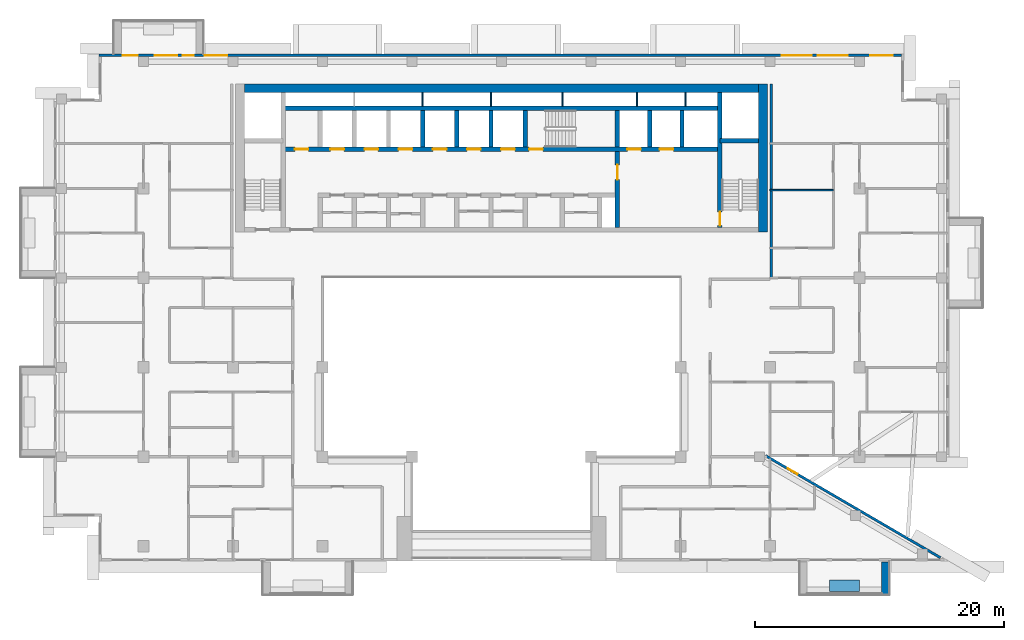
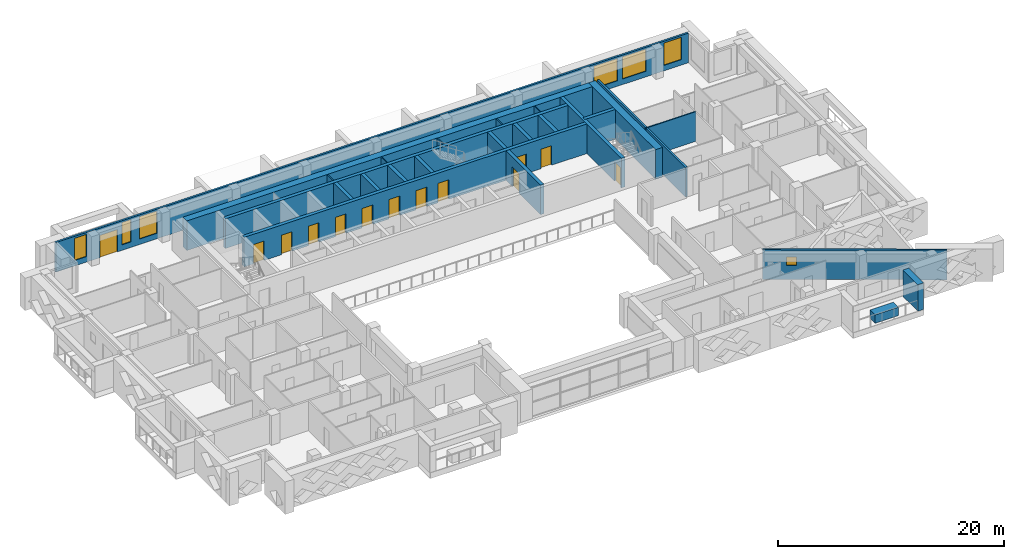
# One storey, part 11 of 20: 25 walls, 13 doors, 7 windows, 20 openings.
"""IFC4 building model written with IfcOpenShell, lengths in metres."""

from ifc_helpers import new_model, si_unit, direction, frame, frame_2d, origin, place, context, subcontext, project, spatial, rectangle, extrude, material, layer, layer_set, type_object, element, fill, save


model = new_model("IFC4")

# Units and contexts
model_context = context("Model", 3, precision=1e-05, world=origin(), true_north=direction((0.0, 1.0)))
body_context = subcontext(model_context, "Body", "Model", "MODEL_VIEW")
ifc_project = project(units=[si_unit("LENGTHUNIT", "METRE"), si_unit("AREAUNIT", "SQUARE_METRE"), si_unit("VOLUMEUNIT", "CUBIC_METRE"), si_unit("PLANEANGLEUNIT", "RADIAN"), si_unit("MASSUNIT", "GRAM", prefix="KILO")], contexts=[model_context])

# Site, building, storey
site_placement = place(None, origin())
site = spatial("IfcSite", under=ifc_project, at=site_placement, CompositionType="ELEMENT")
building_placement = place(site_placement, origin())
building = spatial("IfcBuilding", under=site, at=building_placement, Name="Saffron Iwan Residences", CompositionType="ELEMENT")
storey_placement = place(building_placement, frame((0.0, 0.0, 195.5)))
storey = spatial("IfcBuildingStorey", under=building, at=storey_placement, Name="L52", CompositionType="ELEMENT", Elevation=195.5)

# Walls
ifc_material_1 = material(Name="Concrete C50/60 white painted", Category="concrete")
ifc_layer_1 = layer(ifc_material_1, 0.60009765625)
ifc_layer_set_1 = layer_set([ifc_layer_1], Name="Concrete C50/60 white painted")
wall_type_1 = type_object("IfcWallType", Name="BALCONY FIN 600", PredefinedType="SOLIDWALL", material=ifc_layer_set_1)
wall_1_placement = place(storey_placement, frame((81.300048828125, 39.550048828125, 0.0), z_axis=(0.0, 0.0, 1.0), x_axis=(0.0, -1.0, 0.0)))
element("IfcWall", 1, at=wall_1_placement, inside=storey, type_object=wall_type_1, Name="Balcony fin L52 11-2b", PredefinedType="SOLIDWALL", context=body_context, shape_type="SweptSolid", body=[
    extrude(rectangle(XDim=2.650146484375, YDim=0.60009765625, at=frame_2d((1.3251953125, 0.0))), origin(), (0.0, 0.0, 1.0), 2.85009765625),
])
ifc_material_2 = material(Name="Concrete C35/45 white painted", Category="concrete")
ifc_layer_2 = layer(ifc_material_2, 0.14990234375)
ifc_layer_set_2 = layer_set([ifc_layer_2], Name="Concrete C35/45 white painted")
wall_type_2 = type_object("IfcWallType", Name="BALCONY PLANTER", PredefinedType="SOLIDWALL", material=ifc_layer_set_2)
wall_2_placement = place(storey_placement, frame((76.800048828125, 37.625, 0.0), z_axis=(0.0, 0.0, 1.0), x_axis=(1.0, 0.0, 0.0)))
element("IfcWall", 2, at=wall_2_placement, inside=storey, type_object=wall_type_2, Name="PLANTER L52 11-2", PredefinedType="SOLIDWALL", context=body_context, shape_type="SweptSolid", body=[
    extrude(rectangle(XDim=2.39990234375, YDim=0.89990234375, at=frame_2d((1.199951171875, 0.0))), origin(), (0.0, 0.0, 1.0), 0.89990234375),
])

# Wall, opening, window
ifc_material_3 = material(Name="Concrete C40/50", Category="concrete")
ifc_layer_3 = layer(ifc_material_3, 0.199951171875)
ifc_layer_set_3 = layer_set([ifc_layer_3], Name="Concrete C40/50")
wall_type_3 = type_object("IfcWallType", Name="EXTERNAL WALL 200", PredefinedType="SOLIDWALL", material=ifc_layer_set_3)
wall_3_placement = place(storey_placement, frame((85.71923828125, 39.88134765625, 0.0), z_axis=(0.0, 0.0, 1.0), x_axis=(-0.86377618652, 0.503875678716, 0.0)))
wall_3 = element("IfcWall", 3, at=wall_3_placement, inside=storey, type_object=wall_type_3, Name="External wall L52 F0.0", PredefinedType="SOLIDWALL", context=body_context, shape_type="SweptSolid", body=[
    extrude(rectangle(XDim=16.31103515625, YDim=0.199951171875, at=frame_2d((8.155517578125, 0.0))), origin(), (0.0, 0.0, 1.0), 3.199951171875),
])
opening_1_placement = place(wall_3_placement, frame((13.32568359375, 0.0, 1.5)))
opening_1 = element("IfcOpeningElement", 4, at=opening_1_placement, cuts=wall_3, Name="Opening W6", PredefinedType="OPENING", context=body_context, shape_type="SweptSolid", body=[
    extrude(rectangle(XDim=0.89990234375, YDim=0.89990234375, at=frame_2d((0.449951171875, 0.449951171875))), frame((0.0, 0.10986328125, 0.0), z_axis=(0.0, -1.0, 0.0), x_axis=(1.0, 0.0, 0.0)), (0.0, 0.0, 1.0), 0.219970703125),
])
ifc_material_4 = material(Name="Clear glass, laminated double glazed", Category="glass")
window_type_1 = type_object("IfcWindowType", Name="WINDOW 900 x 900 BATH", PartitioningType="SINGLE_PANEL", PredefinedType="WINDOW", material=ifc_material_4)
window_1_placement = place(opening_1_placement, origin())
window_1 = element("IfcWindow", 5, at=window_1_placement, inside=storey, type_object=window_type_1, Name="Window L52 F0.0", OverallHeight=0.89990234375, OverallWidth=0.89990234375, PartitioningType="SINGLE_PANEL", PredefinedType="WINDOW", context=body_context, shape_type="SweptSolid", body=[
    extrude(rectangle(XDim=0.89990234375, YDim=0.89990234375, at=frame_2d((0.449951171875, 0.449951171875))), frame((0.0, 0.030029296875, 0.0), z_axis=(0.0, -1.0, 0.0), x_axis=(1.0, 0.0, 0.0)), (0.0, 0.0, 1.0), 0.06005859375),
])
fill(opening_1, window_1)

# Wall, openings, door, windows
wall_4_placement = place(storey_placement, frame((82.60009765625, 80.300048828125, 0.0), z_axis=(0.0, 0.0, 1.0), x_axis=(-1.0, 0.0, 0.0)))
wall_4 = element("IfcWall", 6, at=wall_4_placement, inside=storey, type_object=wall_type_3, Name="External wall L52 F5.0", PredefinedType="SOLIDWALL", context=body_context, shape_type="SweptSolid", body=[
    extrude(rectangle(XDim=64.60009765625, YDim=0.199951171875, at=frame_2d((32.300048828125, 0.0))), origin(), (0.0, 0.0, 1.0), 3.199951171875),
])
opening_2_placement = place(wall_4_placement, frame((58.300048828125, 0.0, 0.0)))
opening_2 = element("IfcOpeningElement", 7, at=opening_2_placement, cuts=wall_4, Name="Opening BD1", PredefinedType="OPENING", context=body_context, shape_type="SweptSolid", body=[
    extrude(rectangle(XDim=1.800048828125, YDim=2.39990234375, at=frame_2d((0.89990234375, 1.199951171875))), frame((0.0, 0.10986328125, 0.0), z_axis=(0.0, -1.0, 0.0), x_axis=(1.0, 0.0, 0.0)), (0.0, 0.0, 1.0), 0.219970703125),
])
opening_3_placement = place(wall_4_placement, frame((54.27490234375, 0.0, 0.60009765625)))
opening_3 = element("IfcOpeningElement", 8, at=opening_3_placement, cuts=wall_4, Name="Opening W8", PredefinedType="OPENING", context=body_context, shape_type="SweptSolid", body=[
    extrude(rectangle(XDim=1.800048828125, YDim=2.39990234375, at=frame_2d((0.89990234375, 1.199951171875))), frame((0.0, 0.10986328125, 0.0), z_axis=(0.0, -1.0, 0.0), x_axis=(1.0, 0.0, 0.0)), (0.0, 0.0, 1.0), 0.219970703125),
])
opening_4_placement = place(wall_4_placement, frame((56.949951171875, 0.0, 0.60009765625)))
opening_4 = element("IfcOpeningElement", 9, at=opening_4_placement, cuts=wall_4, Name="Opening W10", PredefinedType="OPENING", context=body_context, shape_type="SweptSolid", body=[
    extrude(rectangle(XDim=0.89990234375, YDim=2.39990234375, at=frame_2d((0.449951171875, 1.199951171875))), frame((0.0, 0.10986328125, 0.0), z_axis=(0.0, -1.0, 0.0), x_axis=(1.0, 0.0, 0.0)), (0.0, 0.0, 1.0), 0.219970703125),
])
opening_5_placement = place(wall_4_placement, frame((61.47509765625, 0.0, 0.60009765625)))
opening_5 = element("IfcOpeningElement", 10, at=opening_5_placement, cuts=wall_4, Name="Opening W3", PredefinedType="OPENING", context=body_context, shape_type="SweptSolid", body=[
    extrude(rectangle(XDim=1.199951171875, YDim=2.39990234375, at=frame_2d((0.60009765625, 1.199951171875))), frame((0.0, 0.10986328125, 0.0), z_axis=(0.0, -1.0, 0.0), x_axis=(1.0, 0.0, 0.0)), (0.0, 0.0, 1.0), 0.219970703125),
])
opening_6_placement = place(wall_4_placement, frame((0.72509765625, 0.0, 0.60009765625)))
opening_6 = element("IfcOpeningElement", 11, at=opening_6_placement, cuts=wall_4, Name="Opening W8", PredefinedType="OPENING", context=body_context, shape_type="SweptSolid", body=[
    extrude(rectangle(XDim=1.800048828125, YDim=2.39990234375, at=frame_2d((0.89990234375, 1.199951171875))), frame((0.0, 0.10986328125, 0.0), z_axis=(0.0, -1.0, 0.0), x_axis=(1.0, 0.0, 0.0)), (0.0, 0.0, 1.0), 0.219970703125),
])
opening_7_placement = place(wall_4_placement, frame((4.35009765625, 0.0, 0.60009765625)))
opening_7 = element("IfcOpeningElement", 12, at=opening_7_placement, cuts=wall_4, Name="Opening W1", PredefinedType="OPENING", context=body_context, shape_type="SweptSolid", body=[
    extrude(rectangle(XDim=2.39990234375, YDim=2.39990234375, at=frame_2d((1.199951171875, 1.199951171875))), frame((0.0, 0.10986328125, 0.0), z_axis=(0.0, -1.0, 0.0), x_axis=(1.0, 0.0, 0.0)), (0.0, 0.0, 1.0), 0.219970703125),
])
opening_8_placement = place(wall_4_placement, frame((7.25, 0.0, 0.60009765625)))
opening_8 = element("IfcOpeningElement", 13, at=opening_8_placement, cuts=wall_4, Name="Opening W1", PredefinedType="OPENING", context=body_context, shape_type="SweptSolid", body=[
    extrude(rectangle(XDim=2.39990234375, YDim=2.39990234375, at=frame_2d((1.199951171875, 1.199951171875))), frame((0.0, 0.10986328125, 0.0), z_axis=(0.0, -1.0, 0.0), x_axis=(1.0, 0.0, 0.0)), (0.0, 0.0, 1.0), 0.219970703125),
])
door_type_1 = type_object("IfcDoorType", Name="BALCONY DOOR 1800 x 2400", OperationType="DOUBLE_DOOR_SLIDING", PredefinedType="DOOR", material=ifc_material_4)
door_1_placement = place(opening_2_placement, origin())
door_1 = element("IfcDoor", 14, at=door_1_placement, inside=storey, type_object=door_type_1, Name="Balcony door L52 F5.0", OperationType="DOUBLE_DOOR_SLIDING", OverallHeight=2.39990234375, OverallWidth=1.800048828125, PredefinedType="DOOR", context=body_context, shape_type="SweptSolid", body=[
    extrude(rectangle(XDim=1.800048828125, YDim=2.39990234375, at=frame_2d((0.89990234375, 1.199951171875))), frame((0.0, 0.02490234375, 0.0), z_axis=(0.0, -1.0, 0.0), x_axis=(1.0, 0.0, 0.0)), (0.0, 0.0, 1.0), 0.050048828125),
])
fill(opening_2, door_1)
window_type_2 = type_object("IfcWindowType", Name="WINDOW 1200 x 2400", PartitioningType="SINGLE_PANEL", PredefinedType="WINDOW", material=ifc_material_4)
window_2_placement = place(opening_5_placement, origin())
window_2 = element("IfcWindow", 15, at=window_2_placement, inside=storey, type_object=window_type_2, Name="Window L52 F5.3", OverallHeight=2.39990234375, OverallWidth=1.199951171875, PartitioningType="SINGLE_PANEL", PredefinedType="WINDOW", context=body_context, shape_type="SweptSolid", body=[
    extrude(rectangle(XDim=1.199951171875, YDim=2.39990234375, at=frame_2d((0.60009765625, 1.199951171875))), frame((0.0, 0.030029296875, 0.0), z_axis=(0.0, -1.0, 0.0), x_axis=(1.0, 0.0, 0.0)), (0.0, 0.0, 1.0), 0.06005859375),
])
fill(opening_5, window_2)
window_type_3 = type_object("IfcWindowType", Name="WINDOW 1800 x 2400", PartitioningType="DOUBLE_PANEL_VERTICAL", PredefinedType="WINDOW", material=ifc_material_4)
window_3_placement = place(opening_3_placement, origin())
window_3 = element("IfcWindow", 16, at=window_3_placement, inside=storey, type_object=window_type_3, Name="Window L52 F5.1", OverallHeight=2.39990234375, OverallWidth=1.800048828125, PartitioningType="DOUBLE_PANEL_VERTICAL", PredefinedType="WINDOW", context=body_context, shape_type="SweptSolid", body=[
    extrude(rectangle(XDim=1.800048828125, YDim=2.39990234375, at=frame_2d((0.89990234375, 1.199951171875))), frame((0.0, 0.030029296875, 0.0), z_axis=(0.0, -1.0, 0.0), x_axis=(1.0, 0.0, 0.0)), (0.0, 0.0, 1.0), 0.06005859375),
])
fill(opening_3, window_3)
window_4_placement = place(opening_6_placement, origin())
window_4 = element("IfcWindow", 17, at=window_4_placement, inside=storey, type_object=window_type_3, Name="Window L52 F5.4", OverallHeight=2.39990234375, OverallWidth=1.800048828125, PartitioningType="DOUBLE_PANEL_VERTICAL", PredefinedType="WINDOW", context=body_context, shape_type="SweptSolid", body=[
    extrude(rectangle(XDim=1.800048828125, YDim=2.39990234375, at=frame_2d((0.89990234375, 1.199951171875))), frame((0.0, 0.030029296875, 0.0), z_axis=(0.0, -1.0, 0.0), x_axis=(1.0, 0.0, 0.0)), (0.0, 0.0, 1.0), 0.06005859375),
])
fill(opening_6, window_4)
window_type_4 = type_object("IfcWindowType", Name="WINDOW 2400 x 2400", PartitioningType="DOUBLE_PANEL_VERTICAL", PredefinedType="WINDOW", material=ifc_material_4)
window_5_placement = place(opening_7_placement, origin())
window_5 = element("IfcWindow", 18, at=window_5_placement, inside=storey, type_object=window_type_4, Name="Window L52 F5.5", OverallHeight=2.39990234375, OverallWidth=2.39990234375, PartitioningType="DOUBLE_PANEL_VERTICAL", PredefinedType="WINDOW", context=body_context, shape_type="SweptSolid", body=[
    extrude(rectangle(XDim=2.39990234375, YDim=2.39990234375, at=frame_2d((1.199951171875, 1.199951171875))), frame((0.0, 0.030029296875, 0.0), z_axis=(0.0, -1.0, 0.0), x_axis=(1.0, 0.0, 0.0)), (0.0, 0.0, 1.0), 0.06005859375),
])
fill(opening_7, window_5)
window_6_placement = place(opening_8_placement, origin())
window_6 = element("IfcWindow", 19, at=window_6_placement, inside=storey, type_object=window_type_4, Name="Window L52 F5.6", OverallHeight=2.39990234375, OverallWidth=2.39990234375, PartitioningType="DOUBLE_PANEL_VERTICAL", PredefinedType="WINDOW", context=body_context, shape_type="SweptSolid", body=[
    extrude(rectangle(XDim=2.39990234375, YDim=2.39990234375, at=frame_2d((1.199951171875, 1.199951171875))), frame((0.0, 0.030029296875, 0.0), z_axis=(0.0, -1.0, 0.0), x_axis=(1.0, 0.0, 0.0)), (0.0, 0.0, 1.0), 0.06005859375),
])
fill(opening_8, window_6)
window_type_5 = type_object("IfcWindowType", Name="WINDOW 900 x 2400", PartitioningType="SINGLE_PANEL", PredefinedType="WINDOW", material=ifc_material_4)
window_7_placement = place(opening_4_placement, origin())
window_7 = element("IfcWindow", 20, at=window_7_placement, inside=storey, type_object=window_type_5, Name="Window L52 F5.2", OverallHeight=2.39990234375, OverallWidth=0.89990234375, PartitioningType="SINGLE_PANEL", PredefinedType="WINDOW", context=body_context, shape_type="SweptSolid", body=[
    extrude(rectangle(XDim=0.89990234375, YDim=2.39990234375, at=frame_2d((0.449951171875, 1.199951171875))), frame((0.0, 0.030029296875, 0.0), z_axis=(0.0, -1.0, 0.0), x_axis=(1.0, 0.0, 0.0)), (0.0, 0.0, 1.0), 0.06005859375),
])
fill(opening_4, window_7)

# Walls
ifc_material_5 = material(Name="Gypsum board partition")
ifc_layer_4 = layer(ifc_material_5, 0.1201171875)
ifc_layer_set_4 = layer_set([ifc_layer_4], Name="Gypsum board partition")
wall_type_4 = type_object("IfcWallType", Name="Flat partition 120", PredefinedType="PARTITIONING", material=ifc_layer_set_4)
wall_5_placement = place(storey_placement, frame((72.0, 69.449951171875, 0.0), z_axis=(0.0, 0.0, 1.0), x_axis=(1.0, 0.0, 0.0)))
element("IfcWall", 21, at=wall_5_placement, inside=storey, type_object=wall_type_4, Name="W-L52-PART-h69.45-72", PredefinedType="PARTITIONING", context=body_context, shape_type="SweptSolid", body=[
    extrude(rectangle(XDim=5.10009765625, YDim=0.1201171875, at=frame_2d((2.550048828125, 0.0))), origin(), (0.0, 0.0, 1.0), 3.199951171875),
])
ifc_material_6 = material(Name="Fire-rated gypsum board wall")
ifc_layer_5 = layer(ifc_material_6, 0.199951171875)
ifc_layer_set_5 = layer_set([ifc_layer_5], Name="Fire-rated gypsum board wall")
wall_type_5 = type_object("IfcWallType", Name="Gallery wall 200", PredefinedType="SOLIDWALL", material=ifc_layer_set_5)
wall_6_placement = place(storey_placement, frame((72.10009765625, 62.39990234375, 0.0), z_axis=(0.0, 0.0, 1.0), x_axis=(0.0, 1.0, 0.0)))
element("IfcWall", 22, at=wall_6_placement, inside=storey, type_object=wall_type_5, Name="W-L52-CORR-v72-62.4", PredefinedType="SOLIDWALL", context=body_context, shape_type="SweptSolid", body=[
    extrude(rectangle(XDim=15.60009765625, YDim=0.199951171875, at=frame_2d((7.800048828125, 0.0))), origin(), (0.0, 0.0, 1.0), 3.199951171875),
])
ifc_material_7 = material(Name="Fire-rated plasterboard partition")
ifc_layer_6 = layer(ifc_material_7, 0.10009765625)
ifc_layer_set_6 = layer_set([ifc_layer_6], Name="Fire-rated plasterboard partition")
wall_type_6 = type_object("IfcWallType", Name="Riser partition 100", PredefinedType="PARTITIONING", material=ifc_layer_set_6)
for number, where, z_axis, x_axis, name in (
    (23, (44.050048828125, 76.22509765625, 0.0), (0.0, 0.0, 1.0), (0.0, 1.0, 0.0), "Core partition P08"),
    (24, (49.550048828125, 76.22509765625, 0.0), (0.0, 0.0, 1.0), (0.0, 1.0, 0.0), "Core partition P09"),
    (25, (55.300048828125, 76.22509765625, 0.0), (0.0, 0.0, 1.0), (0.0, 1.0, 0.0), "Core partition P10"),
    (26, (61.300048828125, 76.22509765625, 0.0), (0.0, 0.0, 1.0), (0.0, 1.0, 0.0), "Core partition P11"),
    (27, (65.199951171875, 76.22509765625, 0.0), (0.0, 0.0, 1.0), (0.0, 1.0, 0.0), "Core partition P12"),
):
    element("IfcWall", number, at=place(storey_placement, frame(where, z_axis=z_axis, x_axis=x_axis)), inside=storey, type_object=wall_type_6, Name=name, PredefinedType="PARTITIONING", context=body_context, shape_type="SweptSolid", body=[
        extrude(rectangle(XDim=1.074951171875, YDim=0.10009765625, at=frame_2d((0.53759765625, 0.0))), origin(), (0.0, 0.0, 1.0), 3.199951171875),
    ])

# Wall, openings, doors
ifc_material_8 = material(Name="Concrete C50/60", Category="concrete")
ifc_layer_7 = layer(ifc_material_8, 0.35009765625)
ifc_layer_set_7 = layer_set([ifc_layer_7], Name="Concrete C50/60")
wall_type_7 = type_object("IfcWallType", Name="WALL CORE 350 C50/60 3200 HIGH", PredefinedType="SHEAR", material=ifc_layer_set_7)
wall_7_placement = place(storey_placement, frame((32.824951171875, 72.75, 0.0), z_axis=(0.0, 0.0, 1.0), x_axis=(1.0, 0.0, 0.0)))
wall_7 = element("IfcWall", 28, at=wall_7_placement, inside=storey, type_object=wall_type_7, Name="Core wall", PredefinedType="SHEAR", context=body_context, shape_type="SweptSolid", body=[
    extrude(rectangle(XDim=35.150146484375, YDim=0.35009765625, at=frame_2d((17.5751953125, 0.0))), origin(), (0.0, 0.0, 1.0), 3.199951171875),
])
opening_9_placement = place(wall_7_placement, frame((19.800048828125, 0.0, 0.0)))
opening_9 = element("IfcOpeningElement", 29, at=opening_9_placement, cuts=wall_7, Name="Opening SD", PredefinedType="OPENING", context=body_context, shape_type="SweptSolid", body=[
    extrude(rectangle(XDim=1.10009765625, YDim=2.10009765625, at=frame_2d((0.550048828125, 1.050048828125))), frame((0.0, 0.18505859375, 0.0), z_axis=(0.0, -1.0, 0.0), x_axis=(1.0, 0.0, 0.0)), (0.0, 0.0, 1.0), 0.3701171875),
])
opening_10_placement = place(wall_7_placement, frame((27.699951171875, 0.0, 0.0)))
opening_10 = element("IfcOpeningElement", 30, at=opening_10_placement, cuts=wall_7, Name="Opening LD", PredefinedType="OPENING", context=body_context, shape_type="SweptSolid", body=[
    extrude(rectangle(XDim=1.10009765625, YDim=2.10009765625, at=frame_2d((0.550048828125, 1.050048828125))), frame((0.0, 0.18505859375, 0.0), z_axis=(0.0, -1.0, 0.0), x_axis=(1.0, 0.0, 0.0)), (0.0, 0.0, 1.0), 0.3701171875),
])
opening_11_placement = place(wall_7_placement, frame((30.300048828125, 0.0, 0.0)))
opening_11 = element("IfcOpeningElement", 31, at=opening_11_placement, cuts=wall_7, Name="Opening LD", PredefinedType="OPENING", context=body_context, shape_type="SweptSolid", body=[
    extrude(rectangle(XDim=1.10009765625, YDim=2.10009765625, at=frame_2d((0.550048828125, 1.050048828125))), frame((0.0, 0.18505859375, 0.0), z_axis=(0.0, -1.0, 0.0), x_axis=(1.0, 0.0, 0.0)), (0.0, 0.0, 1.0), 0.3701171875),
])
opening_12_placement = place(wall_7_placement, frame((3.800048828125, 0.0, 0.0)))
opening_12 = element("IfcOpeningElement", 32, at=opening_12_placement, cuts=wall_7, Name="Opening LD", PredefinedType="OPENING", context=body_context, shape_type="SweptSolid", body=[
    extrude(rectangle(XDim=1.10009765625, YDim=2.10009765625, at=frame_2d((0.550048828125, 1.050048828125))), frame((0.0, 0.18505859375, 0.0), z_axis=(0.0, -1.0, 0.0), x_axis=(1.0, 0.0, 0.0)), (0.0, 0.0, 1.0), 0.3701171875),
])
opening_13_placement = place(wall_7_placement, frame((6.550048828125, 0.0, 0.0)))
opening_13 = element("IfcOpeningElement", 33, at=opening_13_placement, cuts=wall_7, Name="Opening LD", PredefinedType="OPENING", context=body_context, shape_type="SweptSolid", body=[
    extrude(rectangle(XDim=1.10009765625, YDim=2.10009765625, at=frame_2d((0.550048828125, 1.050048828125))), frame((0.0, 0.18505859375, 0.0), z_axis=(0.0, -1.0, 0.0), x_axis=(1.0, 0.0, 0.0)), (0.0, 0.0, 1.0), 0.3701171875),
])
opening_14_placement = place(wall_7_placement, frame((9.300048828125, 0.0, 0.0)))
opening_14 = element("IfcOpeningElement", 34, at=opening_14_placement, cuts=wall_7, Name="Opening LD", PredefinedType="OPENING", context=body_context, shape_type="SweptSolid", body=[
    extrude(rectangle(XDim=1.10009765625, YDim=2.10009765625, at=frame_2d((0.550048828125, 1.050048828125))), frame((0.0, 0.18505859375, 0.0), z_axis=(0.0, -1.0, 0.0), x_axis=(1.0, 0.0, 0.0)), (0.0, 0.0, 1.0), 0.3701171875),
])
opening_15_placement = place(wall_7_placement, frame((12.050048828125, 0.0, 0.0)))
opening_15 = element("IfcOpeningElement", 35, at=opening_15_placement, cuts=wall_7, Name="Opening LD", PredefinedType="OPENING", context=body_context, shape_type="SweptSolid", body=[
    extrude(rectangle(XDim=1.10009765625, YDim=2.10009765625, at=frame_2d((0.550048828125, 1.050048828125))), frame((0.0, 0.18505859375, 0.0), z_axis=(0.0, -1.0, 0.0), x_axis=(1.0, 0.0, 0.0)), (0.0, 0.0, 1.0), 0.3701171875),
])
opening_16_placement = place(wall_7_placement, frame((14.800048828125, 0.0, 0.0)))
opening_16 = element("IfcOpeningElement", 36, at=opening_16_placement, cuts=wall_7, Name="Opening LD", PredefinedType="OPENING", context=body_context, shape_type="SweptSolid", body=[
    extrude(rectangle(XDim=1.10009765625, YDim=2.10009765625, at=frame_2d((0.550048828125, 1.050048828125))), frame((0.0, 0.18505859375, 0.0), z_axis=(0.0, -1.0, 0.0), x_axis=(1.0, 0.0, 0.0)), (0.0, 0.0, 1.0), 0.3701171875),
])
opening_17_placement = place(wall_7_placement, frame((17.550048828125, 0.0, 0.0)))
opening_17 = element("IfcOpeningElement", 37, at=opening_17_placement, cuts=wall_7, Name="Opening LD", PredefinedType="OPENING", context=body_context, shape_type="SweptSolid", body=[
    extrude(rectangle(XDim=1.10009765625, YDim=2.10009765625, at=frame_2d((0.550048828125, 1.050048828125))), frame((0.0, 0.18505859375, 0.0), z_axis=(0.0, -1.0, 0.0), x_axis=(1.0, 0.0, 0.0)), (0.0, 0.0, 1.0), 0.3701171875),
])
opening_18_placement = place(wall_7_placement, frame((0.9375, 0.0, 0.0)))
opening_18 = element("IfcOpeningElement", 38, at=opening_18_placement, cuts=wall_7, Name="Opening SR", PredefinedType="OPENING", context=body_context, shape_type="SweptSolid", body=[
    extrude(rectangle(XDim=1.10009765625, YDim=2.10009765625, at=frame_2d((0.550048828125, 1.050048828125))), frame((0.0, 0.18505859375, 0.0), z_axis=(0.0, -1.0, 0.0), x_axis=(1.0, 0.0, 0.0)), (0.0, 0.0, 1.0), 0.3701171875),
])
ifc_material_9 = material(Name="Steel fire door", Category="steel")
door_type_2 = type_object("IfcDoorType", Name="Lift landing door 1100", OperationType="SLIDING_TO_LEFT", PredefinedType="DOOR", material=ifc_material_9)
door_2_placement = place(opening_10_placement, origin())
door_2 = element("IfcDoor", 39, at=door_2_placement, inside=storey, type_object=door_type_2, Name="Landing doors FF1", OperationType="SLIDING_TO_LEFT", OverallHeight=2.10009765625, OverallWidth=1.10009765625, PredefinedType="DOOR", context=body_context, shape_type="SweptSolid", body=[
    extrude(rectangle(XDim=1.10009765625, YDim=2.10009765625, at=frame_2d((0.550048828125, 1.050048828125))), frame((0.0, 0.02490234375, 0.0), z_axis=(0.0, -1.0, 0.0), x_axis=(1.0, 0.0, 0.0)), (0.0, 0.0, 1.0), 0.050048828125),
])
fill(opening_10, door_2)
door_3_placement = place(opening_11_placement, origin())
door_3 = element("IfcDoor", 40, at=door_3_placement, inside=storey, type_object=door_type_2, Name="Landing doors FF2", OperationType="SLIDING_TO_LEFT", OverallHeight=2.10009765625, OverallWidth=1.10009765625, PredefinedType="DOOR", context=body_context, shape_type="SweptSolid", body=[
    extrude(rectangle(XDim=1.10009765625, YDim=2.10009765625, at=frame_2d((0.550048828125, 1.050048828125))), frame((0.0, 0.02490234375, 0.0), z_axis=(0.0, -1.0, 0.0), x_axis=(1.0, 0.0, 0.0)), (0.0, 0.0, 1.0), 0.050048828125),
])
fill(opening_11, door_3)
door_4_placement = place(opening_12_placement, origin())
door_4 = element("IfcDoor", 41, at=door_4_placement, inside=storey, type_object=door_type_2, Name="Landing doors HR1", OperationType="SLIDING_TO_LEFT", OverallHeight=2.10009765625, OverallWidth=1.10009765625, PredefinedType="DOOR", context=body_context, shape_type="SweptSolid", body=[
    extrude(rectangle(XDim=1.10009765625, YDim=2.10009765625, at=frame_2d((0.550048828125, 1.050048828125))), frame((0.0, 0.02490234375, 0.0), z_axis=(0.0, -1.0, 0.0), x_axis=(1.0, 0.0, 0.0)), (0.0, 0.0, 1.0), 0.050048828125),
])
fill(opening_12, door_4)
door_5_placement = place(opening_13_placement, origin())
door_5 = element("IfcDoor", 42, at=door_5_placement, inside=storey, type_object=door_type_2, Name="Landing doors HR2", OperationType="SLIDING_TO_LEFT", OverallHeight=2.10009765625, OverallWidth=1.10009765625, PredefinedType="DOOR", context=body_context, shape_type="SweptSolid", body=[
    extrude(rectangle(XDim=1.10009765625, YDim=2.10009765625, at=frame_2d((0.550048828125, 1.050048828125))), frame((0.0, 0.02490234375, 0.0), z_axis=(0.0, -1.0, 0.0), x_axis=(1.0, 0.0, 0.0)), (0.0, 0.0, 1.0), 0.050048828125),
])
fill(opening_13, door_5)
door_6_placement = place(opening_14_placement, origin())
door_6 = element("IfcDoor", 43, at=door_6_placement, inside=storey, type_object=door_type_2, Name="Landing doors HR3", OperationType="SLIDING_TO_LEFT", OverallHeight=2.10009765625, OverallWidth=1.10009765625, PredefinedType="DOOR", context=body_context, shape_type="SweptSolid", body=[
    extrude(rectangle(XDim=1.10009765625, YDim=2.10009765625, at=frame_2d((0.550048828125, 1.050048828125))), frame((0.0, 0.02490234375, 0.0), z_axis=(0.0, -1.0, 0.0), x_axis=(1.0, 0.0, 0.0)), (0.0, 0.0, 1.0), 0.050048828125),
])
fill(opening_14, door_6)
door_7_placement = place(opening_15_placement, origin())
door_7 = element("IfcDoor", 44, at=door_7_placement, inside=storey, type_object=door_type_2, Name="Landing doors HR4", OperationType="SLIDING_TO_LEFT", OverallHeight=2.10009765625, OverallWidth=1.10009765625, PredefinedType="DOOR", context=body_context, shape_type="SweptSolid", body=[
    extrude(rectangle(XDim=1.10009765625, YDim=2.10009765625, at=frame_2d((0.550048828125, 1.050048828125))), frame((0.0, 0.02490234375, 0.0), z_axis=(0.0, -1.0, 0.0), x_axis=(1.0, 0.0, 0.0)), (0.0, 0.0, 1.0), 0.050048828125),
])
fill(opening_15, door_7)
door_8_placement = place(opening_16_placement, origin())
door_8 = element("IfcDoor", 45, at=door_8_placement, inside=storey, type_object=door_type_2, Name="Landing doors HR5", OperationType="SLIDING_TO_LEFT", OverallHeight=2.10009765625, OverallWidth=1.10009765625, PredefinedType="DOOR", context=body_context, shape_type="SweptSolid", body=[
    extrude(rectangle(XDim=1.10009765625, YDim=2.10009765625, at=frame_2d((0.550048828125, 1.050048828125))), frame((0.0, 0.02490234375, 0.0), z_axis=(0.0, -1.0, 0.0), x_axis=(1.0, 0.0, 0.0)), (0.0, 0.0, 1.0), 0.050048828125),
])
fill(opening_16, door_8)
door_9_placement = place(opening_17_placement, origin())
door_9 = element("IfcDoor", 46, at=door_9_placement, inside=storey, type_object=door_type_2, Name="Landing doors HR6", OperationType="SLIDING_TO_LEFT", OverallHeight=2.10009765625, OverallWidth=1.10009765625, PredefinedType="DOOR", context=body_context, shape_type="SweptSolid", body=[
    extrude(rectangle(XDim=1.10009765625, YDim=2.10009765625, at=frame_2d((0.550048828125, 1.050048828125))), frame((0.0, 0.02490234375, 0.0), z_axis=(0.0, -1.0, 0.0), x_axis=(1.0, 0.0, 0.0)), (0.0, 0.0, 1.0), 0.050048828125),
])
fill(opening_17, door_9)
door_type_3 = type_object("IfcDoorType", Name="Service door 1100", OperationType="NOTDEFINED", PredefinedType="DOOR", material=ifc_material_9)
door_10_placement = place(opening_18_placement, origin())
door_10 = element("IfcDoor", 47, at=door_10_placement, inside=storey, type_object=door_type_3, Name="Door Cleaner's store", OperationType="SINGLE_SWING_LEFT", OverallHeight=2.10009765625, OverallWidth=1.10009765625, PredefinedType="DOOR", context=body_context, shape_type="SweptSolid", body=[
    extrude(rectangle(XDim=1.10009765625, YDim=2.10009765625, at=frame_2d((0.550048828125, 1.050048828125))), frame((0.0, 0.02490234375, 0.0), z_axis=(0.0, -1.0, 0.0), x_axis=(1.0, 0.0, 0.0)), (0.0, 0.0, 1.0), 0.050048828125),
])
fill(opening_18, door_10)
door_type_4 = type_object("IfcDoorType", Name="Stair door 1100", OperationType="NOTDEFINED", PredefinedType="DOOR", material=ifc_material_9)
door_11_placement = place(opening_9_placement, origin())
door_11 = element("IfcDoor", 48, at=door_11_placement, inside=storey, type_object=door_type_4, Name="Stair door ST-C", OperationType="SINGLE_SWING_LEFT", OverallHeight=2.10009765625, OverallWidth=1.10009765625, PredefinedType="DOOR", context=body_context, shape_type="SweptSolid", body=[
    extrude(rectangle(XDim=1.10009765625, YDim=2.10009765625, at=frame_2d((0.550048828125, 1.050048828125))), frame((0.0, 0.02490234375, 0.0), z_axis=(0.0, -1.0, 0.0), x_axis=(1.0, 0.0, 0.0)), (0.0, 0.0, 1.0), 0.050048828125),
])
fill(opening_9, door_11)

# Walls
wall_8_placement = place(storey_placement, frame((32.824951171875, 76.050048828125, 0.0), z_axis=(0.0, 0.0, 1.0), x_axis=(1.0, 0.0, 0.0)))
element("IfcWall", 49, at=wall_8_placement, inside=storey, type_object=wall_type_7, Name="Core wall", PredefinedType="SHEAR", context=body_context, shape_type="SweptSolid", body=[
    extrude(rectangle(XDim=35.150146484375, YDim=0.35009765625, at=frame_2d((17.5751953125, 0.0))), origin(), (0.0, 0.0, 1.0), 3.199951171875),
])
wall_9_placement = place(storey_placement, frame((67.97509765625, 73.425048828125, 0.0), z_axis=(0.0, 0.0, 1.0), x_axis=(1.0, 0.0, 0.0)))
element("IfcWall", 50, at=wall_9_placement, inside=storey, type_object=wall_type_7, Name="Core wall", PredefinedType="SHEAR", context=body_context, shape_type="SweptSolid", body=[
    extrude(rectangle(XDim=3.125, YDim=0.35009765625, at=frame_2d((1.5625, 0.0))), origin(), (0.0, 0.0, 1.0), 3.199951171875),
])

# Wall, opening, door
wall_10_placement = place(storey_placement, frame((67.97509765625, 66.449951171875, 0.0), z_axis=(0.0, 0.0, 1.0), x_axis=(0.0, 1.0, 0.0)))
wall_10 = element("IfcWall", 51, at=wall_10_placement, inside=storey, type_object=wall_type_7, Name="Core wall", PredefinedType="SHEAR", context=body_context, shape_type="SweptSolid", body=[
    extrude(rectangle(XDim=10.85009765625, YDim=0.35009765625, at=frame_2d((5.425048828125, 0.0))), origin(), (0.0, 0.0, 1.0), 3.199951171875),
])
opening_19_placement = place(wall_10_placement, frame((0.14990234375, 0.0, 0.0)))
opening_19 = element("IfcOpeningElement", 52, at=opening_19_placement, cuts=wall_10, Name="Opening SD", PredefinedType="OPENING", context=body_context, shape_type="SweptSolid", body=[
    extrude(rectangle(XDim=1.10009765625, YDim=2.10009765625, at=frame_2d((0.550048828125, 1.050048828125))), frame((0.0, 0.18505859375, 0.0), z_axis=(0.0, -1.0, 0.0), x_axis=(1.0, 0.0, 0.0)), (0.0, 0.0, 1.0), 0.3701171875),
])
door_12_placement = place(opening_19_placement, origin())
door_12 = element("IfcDoor", 53, at=door_12_placement, inside=storey, type_object=door_type_4, Name="Stair door ST-E", OperationType="SINGLE_SWING_LEFT", OverallHeight=2.10009765625, OverallWidth=1.10009765625, PredefinedType="DOOR", context=body_context, shape_type="SweptSolid", body=[
    extrude(rectangle(XDim=1.10009765625, YDim=2.10009765625, at=frame_2d((0.550048828125, 1.050048828125))), frame((0.0, 0.02490234375, 0.0), z_axis=(0.0, -1.0, 0.0), x_axis=(1.0, 0.0, 0.0)), (0.0, 0.0, 1.0), 0.050048828125),
])
fill(opening_19, door_12)

wall_11_placement = place(storey_placement, frame((59.72509765625, 66.449951171875, 0.0), z_axis=(0.0, 0.0, 1.0), x_axis=(0.0, 1.0, 0.0)))
wall_11 = element("IfcWall", 54, at=wall_11_placement, inside=storey, type_object=wall_type_7, Name="Core wall", PredefinedType="SHEAR", context=body_context, shape_type="SweptSolid", body=[
    extrude(rectangle(XDim=6.125, YDim=0.35009765625, at=frame_2d((3.0625, 0.0))), origin(), (0.0, 0.0, 1.0), 3.199951171875),
])
opening_20_placement = place(wall_11_placement, frame((3.85009765625, 0.0, 0.0)))
opening_20 = element("IfcOpeningElement", 55, at=opening_20_placement, cuts=wall_11, Name="Opening FD", PredefinedType="OPENING", context=body_context, shape_type="SweptSolid", body=[
    extrude(rectangle(XDim=1.199951171875, YDim=2.10009765625, at=frame_2d((0.60009765625, 1.050048828125))), frame((0.0, 0.18505859375, 0.0), z_axis=(0.0, -1.0, 0.0), x_axis=(1.0, 0.0, 0.0)), (0.0, 0.0, 1.0), 0.3701171875),
])
door_type_5 = type_object("IfcDoorType", Name="Firefighting lobby door 1200", OperationType="NOTDEFINED", PredefinedType="DOOR", material=ifc_material_9)
door_13_placement = place(opening_20_placement, origin())
door_13 = element("IfcDoor", 56, at=door_13_placement, inside=storey, type_object=door_type_5, Name="Firefighting lobby door", OperationType="SINGLE_SWING_LEFT", OverallHeight=2.10009765625, OverallWidth=1.199951171875, PredefinedType="DOOR", context=body_context, shape_type="SweptSolid", body=[
    extrude(rectangle(XDim=1.199951171875, YDim=2.10009765625, at=frame_2d((0.60009765625, 1.050048828125))), frame((0.0, 0.02490234375, 0.0), z_axis=(0.0, -1.0, 0.0), x_axis=(1.0, 0.0, 0.0)), (0.0, 0.0, 1.0), 0.050048828125),
])
fill(opening_20, door_13)

# Walls
for number, where, z_axis, x_axis, name in (
    (57, (59.72509765625, 72.925048828125, 0.0), (0.0, 0.0, 1.0), (0.0, 1.0, 0.0), "Core wall"),
    (58, (44.050048828125, 72.925048828125, 0.0), (0.0, 0.0, 1.0), (0.0, 1.0, 0.0), "Core wall"),
    (59, (46.800048828125, 72.925048828125, 0.0), (0.0, 0.0, 1.0), (0.0, 1.0, 0.0), "Core wall"),
    (60, (49.550048828125, 72.925048828125, 0.0), (0.0, 0.0, 1.0), (0.0, 1.0, 0.0), "Core wall"),
    (61, (52.300048828125, 72.925048828125, 0.0), (0.0, 0.0, 1.0), (0.0, 1.0, 0.0), "Core wall"),
    (62, (62.324951171875, 72.925048828125, 0.0), (0.0, 0.0, 1.0), (0.0, 1.0, 0.0), "Core wall"),
    (63, (64.925048828125, 72.925048828125, 0.0), (0.0, 0.0, 1.0), (0.0, 1.0, 0.0), "Core wall"),
):
    element("IfcWall", number, at=place(storey_placement, frame(where, z_axis=z_axis, x_axis=x_axis)), inside=storey, type_object=wall_type_7, Name=name, PredefinedType="SHEAR", context=body_context, shape_type="SweptSolid", body=[
        extrude(rectangle(XDim=2.949951171875, YDim=0.35009765625, at=frame_2d((1.47509765625, 0.0))), origin(), (0.0, 0.0, 1.0), 3.199951171875),
    ])
ifc_layer_8 = layer(ifc_material_8, 0.699951171875)
ifc_layer_set_8 = layer_set([ifc_layer_8], Name="Concrete C50/60")
wall_type_8 = type_object("IfcWallType", Name="WALL CORE 700 C50/60 3200 HIGH", PredefinedType="SHEAR", material=ifc_layer_set_8)
wall_12_placement = place(storey_placement, frame((71.449951171875, 66.10009765625, 0.0), z_axis=(0.0, 0.0, 1.0), x_axis=(0.0, 1.0, 0.0)))
element("IfcWall", 64, at=wall_12_placement, inside=storey, type_object=wall_type_8, Name="Core wall", PredefinedType="SHEAR", context=body_context, shape_type="SweptSolid", body=[
    extrude(rectangle(XDim=11.89990234375, YDim=0.699951171875, at=frame_2d((5.949951171875, 0.0))), origin(), (0.0, 0.0, 1.0), 3.199951171875),
])
wall_13_placement = place(storey_placement, frame((29.699951171875, 77.64990234375, 0.0), z_axis=(0.0, 0.0, 1.0), x_axis=(1.0, 0.0, 0.0)))
element("IfcWall", 65, at=wall_13_placement, inside=storey, type_object=wall_type_8, Name="Core wall", PredefinedType="SHEAR", context=body_context, shape_type="SweptSolid", body=[
    extrude(rectangle(XDim=41.400146484375, YDim=0.699951171875, at=frame_2d((20.7001953125, 0.0))), origin(), (0.0, 0.0, 1.0), 3.199951171875),
])

save(model, "model.ifc")
